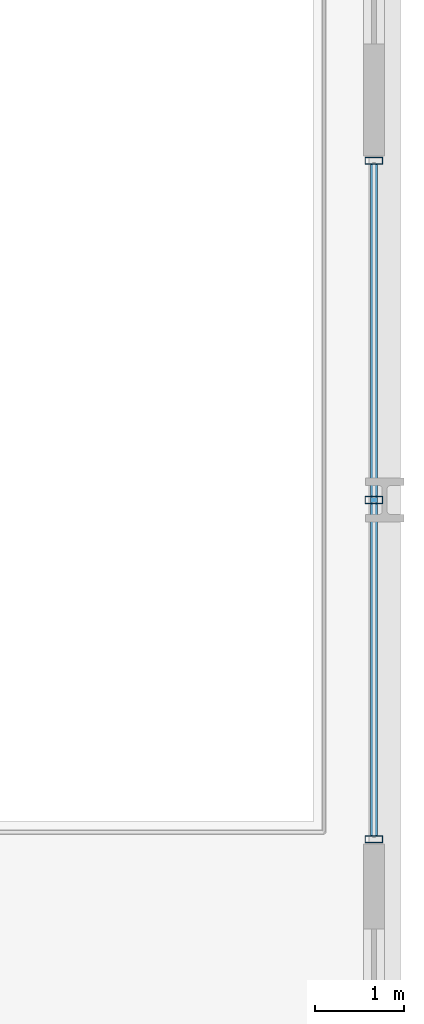
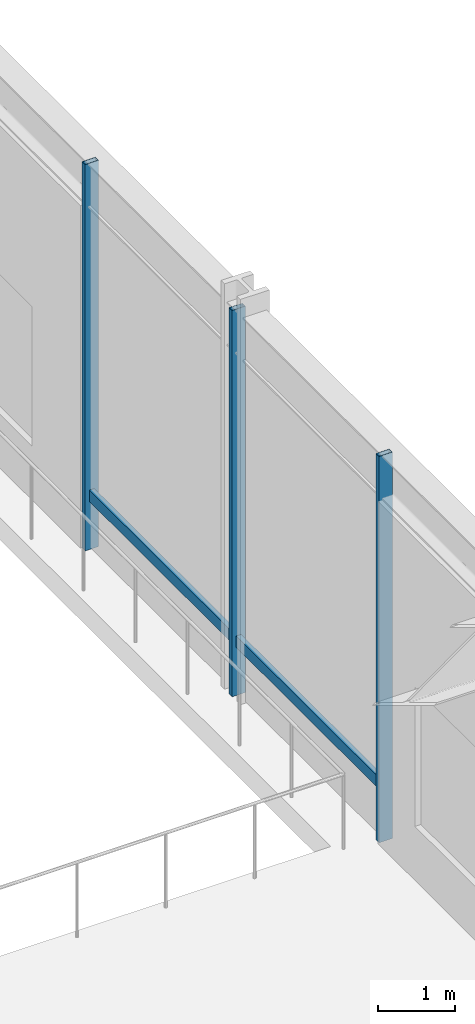
# One storey, part 7 of 20: 4 members, 1 element without a shape of its own.
"""IFC4 building model written with IfcOpenShell, lengths in metres."""

from ifc_helpers import new_model, si_unit, direction, frame, origin, origin_2d, place, context, subcontext, project, spatial, hollow_rectangle, extrude, material, layer, layer_set, material_profile, profile_set, type_object, element, aggregate, save


model = new_model("IFC4")

# Units and contexts
model_context = context("Model", 3, precision=1e-05, world=origin(), true_north=direction((0.0, 1.0)))
body_context = subcontext(model_context, "Body", "Model", "MODEL_VIEW")
ifc_project = project(units=[si_unit("LENGTHUNIT", "METRE"), si_unit("AREAUNIT", "SQUARE_METRE"), si_unit("VOLUMEUNIT", "CUBIC_METRE"), si_unit("PLANEANGLEUNIT", "RADIAN"), si_unit("MASSUNIT", "GRAM", prefix="KILO")], contexts=[model_context])

# Site, building, storey
site_placement = place(None, origin())
site = spatial("IfcSite", under=ifc_project, at=site_placement, CompositionType="ELEMENT")
building_placement = place(site_placement, origin())
building = spatial("IfcBuilding", under=site, at=building_placement, Name="Drelvath Grand Hotel", CompositionType="ELEMENT")
storey_placement = place(building_placement, frame((0.0, 0.0, 10.800048828125)))
storey = spatial("IfcBuildingStorey", under=building, at=storey_placement, Name="L02", CompositionType="ELEMENT", Elevation=10.800048828125)

# Curtain wall, members
ifc_material = material(Name="Dark Bronze Anodised Aluminium Frame", Category="aluminium")
ifc_layer = layer(ifc_material, 0.199951171875)
ifc_layer_set = layer_set([ifc_layer], Name="Dark Bronze Anodised Aluminium Frame")
curtain_wall_type = type_object("IfcCurtainWallType", Name="Stick Curtain Wall CW-01 Dark Bronze Podium", PredefinedType="NOTDEFINED", material=ifc_layer_set)
curtain_wall_placement = place(storey_placement, origin())
curtain_wall = element("IfcCurtainWall", 1, at=curtain_wall_placement, inside=storey, type_object=curtain_wall_type, Name="L02 CW-01 Curtain Wall CW01-L02-EA1", PredefinedType="NOTDEFINED")
ifc_material_profile_1 = material_profile(ifc_material, hollow_rectangle(XDim=0.074951171875, YDim=0.179931640625, WallThickness=0.0048828125, at=origin_2d()), Name="HSS180X75X5")
ifc_profile_set_1 = profile_set([ifc_material_profile_1], Name="Dark Bronze Anodised Aluminium Frame")
member_type_1 = type_object("IfcMemberType", Name="Curtain Wall Horizontal Transom CW-01 HSS180X75X5", PredefinedType="USERDEFINED", material=ifc_profile_set_1)
member_1_placement = place(storey_placement, frame((38.8798828125, 22.360107421875, 0.849853515625), z_axis=(0.0, -1.0, 0.0), x_axis=(1.0, 0.0, 0.0)))
member_1 = element("IfcMember", 2, at=member_1_placement, type_object=member_type_1, Name="CW01-L02-EA1 Sill Transom", ObjectType="TRANSOM", PredefinedType="USERDEFINED", context=body_context, shape_type="SweptSolid", body=[
    extrude(hollow_rectangle(XDim=0.074951171875, YDim=0.179931640625, WallThickness=0.0048828125, at=origin_2d()), origin(), (0.0, 0.0, 1.0), 7.52001953125),
])
ifc_material_profile_2 = material_profile(ifc_material, hollow_rectangle(XDim=0.080078125, YDim=0.199951171875, WallThickness=0.0048828125, at=origin_2d()), Name="HSS200X80X5")
ifc_profile_set_2 = profile_set([ifc_material_profile_2], Name="Dark Bronze Anodised Aluminium Frame")
member_type_2 = type_object("IfcMemberType", Name="Curtain Wall Vertical Mullion CW-01 HSS200X80X5", PredefinedType="MULLION", material=ifc_profile_set_2)
member_2_placement = place(storey_placement, frame((38.8798828125, 22.39990234375, 0.0), z_axis=(0.0, 0.0, 1.0), x_axis=(0.0, 1.0, 0.0)))
member_2 = element("IfcMember", 3, at=member_2_placement, type_object=member_type_2, Name="CW01-L02-EA1 Mullion 1", PredefinedType="MULLION", context=body_context, shape_type="SweptSolid", body=[
    extrude(hollow_rectangle(XDim=0.080078125, YDim=0.199951171875, WallThickness=0.0048828125, at=origin_2d()), origin(), (0.0, 0.0, 1.0), 6.099853515625),
])
member_3_placement = place(storey_placement, frame((38.8798828125, 18.60009765625, 0.0), z_axis=(0.0, 0.0, 1.0), x_axis=(0.0, 1.0, 0.0)))
member_3 = element("IfcMember", 4, at=member_3_placement, type_object=member_type_2, Name="CW01-L02-EA1 Mullion 2", PredefinedType="MULLION", context=body_context, shape_type="SweptSolid", body=[
    extrude(hollow_rectangle(XDim=0.080078125, YDim=0.199951171875, WallThickness=0.0048828125, at=origin_2d()), origin(), (0.0, 0.0, 1.0), 6.099853515625),
])
member_4_placement = place(storey_placement, frame((38.8798828125, 14.800048828125, 0.0), z_axis=(0.0, 0.0, 1.0), x_axis=(0.0, 1.0, 0.0)))
member_4 = element("IfcMember", 5, at=member_4_placement, type_object=member_type_2, Name="CW01-L02-EA1 Mullion 3", PredefinedType="MULLION", context=body_context, shape_type="SweptSolid", body=[
    extrude(hollow_rectangle(XDim=0.080078125, YDim=0.199951171875, WallThickness=0.0048828125, at=origin_2d()), origin(), (0.0, 0.0, 1.0), 6.099853515625),
])
aggregate(curtain_wall, [member_2, member_3, member_4, member_1])

save(model, "model.ifc")
